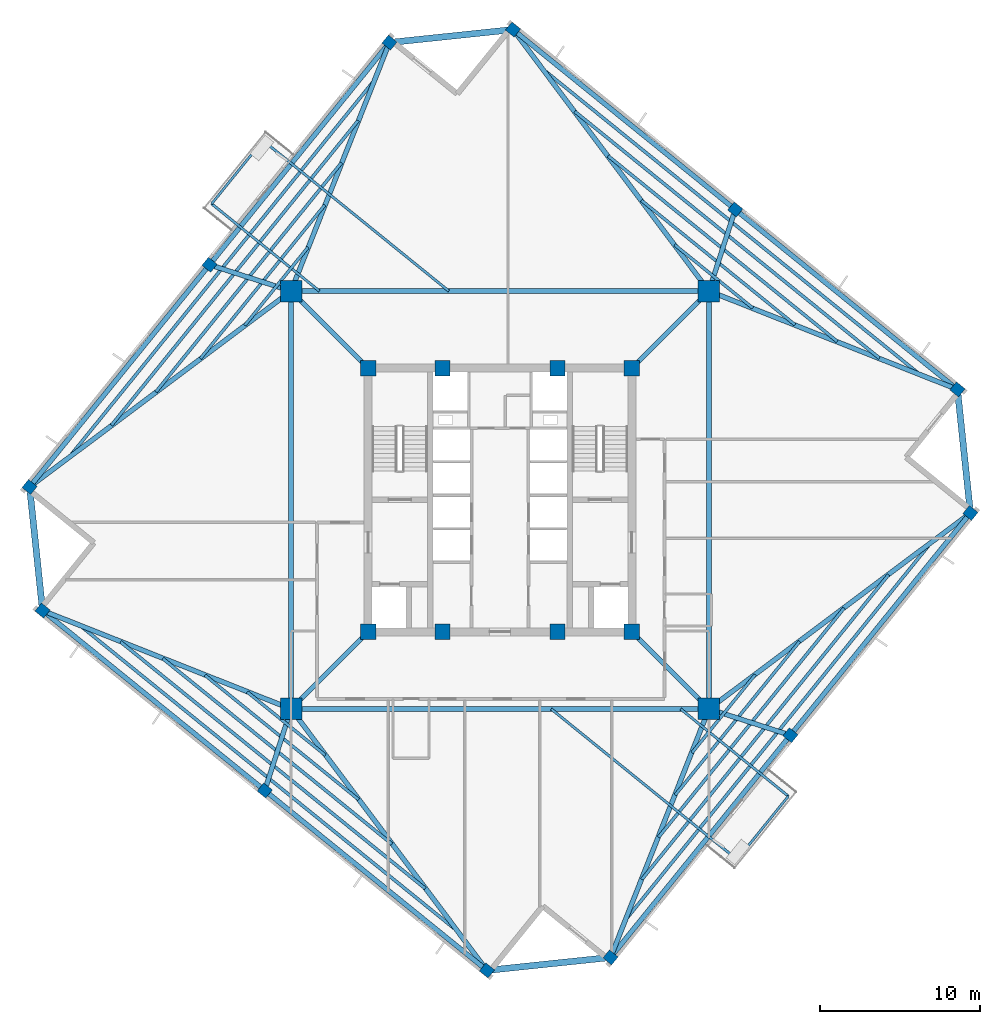
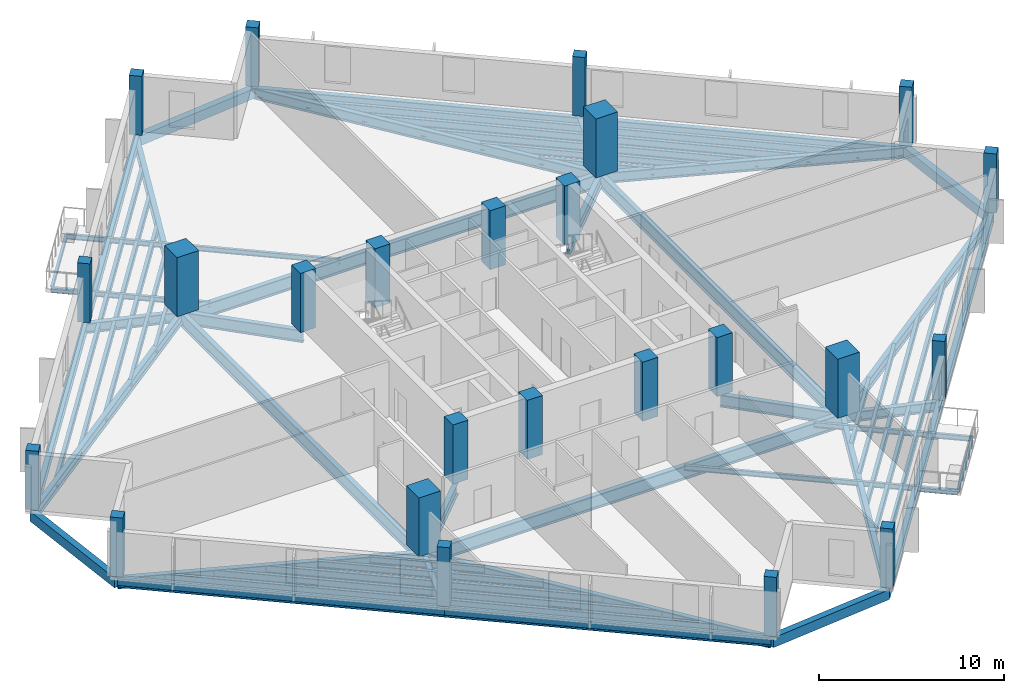
# One storey, part 1 of 9: 58 beams, 24 columns.
"""IFC4 building model written with IfcOpenShell, lengths in metres."""

from ifc_helpers import new_model, si_unit, direction, frame, origin, origin_2d, place, context, subcontext, project, spatial, rectangle, i_section, extrude, source, transform, mapped, material, material_profile, profile_set, type_object, element, save


model = new_model("IFC4")

# Units and contexts
model_context = context("Model", 3, precision=1e-05, world=origin(), true_north=direction((0.0, 1.0)))
body_context = subcontext(model_context, "Body", "Model", "MODEL_VIEW")
ifc_project = project(units=[si_unit("LENGTHUNIT", "METRE"), si_unit("AREAUNIT", "SQUARE_METRE"), si_unit("VOLUMEUNIT", "CUBIC_METRE"), si_unit("PLANEANGLEUNIT", "RADIAN"), si_unit("MASSUNIT", "GRAM", prefix="KILO"), si_unit("THERMODYNAMICTEMPERATUREUNIT", "KELVIN")], contexts=[model_context])

# Site, building, storey
site_placement = place(None, origin())
site = spatial("IfcSite", under=ifc_project, at=site_placement, CompositionType="ELEMENT")
building_placement = place(site_placement, origin())
building = spatial("IfcBuilding", under=site, at=building_placement, Name="Kosmvard Interchange Tower", CompositionType="ELEMENT")
storey_placement = place(building_placement, frame((0.0, 0.0, 213.39990234375)))
storey = spatial("IfcBuildingStorey", under=building, at=storey_placement, Name="L51", CompositionType="ELEMENT", Elevation=213.39990234375)

# Columns
ifc_material_1 = material(Name="Concrete C60/75", Category="concrete")
ifc_material_profile_1 = material_profile(ifc_material_1, rectangle(XDim=0.949951171875, YDim=0.949951171875, at=origin_2d()), Name="CP 950x950")
ifc_profile_set_1 = profile_set([ifc_material_profile_1], Name="Concrete C60/75")
column_type_1 = type_object("IfcColumnType", Name="Core Boundary Pilaster 950x950 C60/75", PredefinedType="PILASTER", material=ifc_profile_set_1)
shared_shape_1 = source(origin(), body_context, "Body", "SweptSolid", [
    extrude(rectangle(XDim=0.949951171875, YDim=0.949951171875, at=origin_2d()), origin(), (0.0, 0.0, 1.0), 3.900146484375),
])
for number, where, z_axis, x_axis, name in (
    (1, (-8.25, -8.25, 0.0), (0.0, 0.0, 1.0), (1.0, 0.0, 0.0), "L51 Core Pilaster CP1"),
    (2, (8.25, -8.25, 0.0), (0.0, 0.0, 1.0), (1.0, 0.0, 0.0), "L51 Core Pilaster CP2"),
    (3, (8.25, 8.25, 0.0), (0.0, 0.0, 1.0), (1.0, 0.0, 0.0), "L51 Core Pilaster CP3"),
    (4, (-8.25, 8.25, 0.0), (0.0, 0.0, 1.0), (1.0, 0.0, 0.0), "L51 Core Pilaster CP4"),
    (5, (-3.60009765625, -8.25, 0.0), (0.0, 0.0, 1.0), (1.0, 0.0, 0.0), "L51 Core Pilaster CP5"),
    (6, (3.60009765625, -8.25, 0.0), (0.0, 0.0, 1.0), (1.0, 0.0, 0.0), "L51 Core Pilaster CP6"),
    (7, (-3.60009765625, 8.25, 0.0), (0.0, 0.0, 1.0), (1.0, 0.0, 0.0), "L51 Core Pilaster CP7"),
    (8, (3.60009765625, 8.25, 0.0), (0.0, 0.0, 1.0), (1.0, 0.0, 0.0), "L51 Core Pilaster CP8"),
):
    element("IfcColumn", number, at=place(storey_placement, frame(where, z_axis=z_axis, x_axis=x_axis)), inside=storey, type_object=column_type_1, Name=name, PredefinedType="PILASTER", context=body_context, shape_type="MappedRepresentation", body=[
        mapped(shared_shape_1, transform((0.0, 0.0, 0.0), scale=1.0)),
    ])
ifc_material_profile_2 = material_profile(ifc_material_1, rectangle(XDim=1.35009765625, YDim=1.35009765625, at=origin_2d()), Name="MC 1350x1350")
ifc_profile_set_2 = profile_set([ifc_material_profile_2], Name="Concrete C60/75")
column_type_2 = type_object("IfcColumnType", Name="Composite Mega-Column 1350x1350 C60/75", PredefinedType="COLUMN", material=ifc_profile_set_2)
shared_shape_2 = source(origin(), body_context, "Body", "SweptSolid", [
    extrude(rectangle(XDim=1.35009765625, YDim=1.35009765625, at=origin_2d()), origin(), (0.0, 0.0, 1.0), 3.900146484375),
])
for number, where, z_axis, x_axis, name in (
    (9, (-13.0810546875, -13.0810546875, 0.0), (0.0, 0.0, 1.0), (1.0, 0.0, 0.0), "L51 Corner Mega-Column MC1"),
    (10, (13.0810546875, -13.0810546875, 0.0), (0.0, 0.0, 1.0), (1.0, 0.0, 0.0), "L51 Corner Mega-Column MC2"),
    (11, (13.0810546875, 13.0810546875, 0.0), (0.0, 0.0, 1.0), (1.0, 0.0, 0.0), "L51 Corner Mega-Column MC3"),
    (12, (-13.0810546875, 13.0810546875, 0.0), (0.0, 0.0, 1.0), (1.0, 0.0, 0.0), "L51 Corner Mega-Column MC4"),
):
    element("IfcColumn", number, at=place(storey_placement, frame(where, z_axis=z_axis, x_axis=x_axis)), inside=storey, type_object=column_type_2, Name=name, PredefinedType="COLUMN", context=body_context, shape_type="MappedRepresentation", body=[
        mapped(shared_shape_2, transform((0.0, 0.0, 0.0), scale=1.0)),
    ])
ifc_material_2 = material(Name="Concrete C50/60", Category="concrete")
ifc_material_profile_3 = material_profile(ifc_material_2, rectangle(XDim=0.64990234375, YDim=0.699951171875, at=origin_2d()), Name="TC 700x650")
ifc_profile_set_3 = profile_set([ifc_material_profile_3], Name="Concrete C50/60")
column_type_3 = type_object("IfcColumnType", Name="Zone 4 Perimeter Pier Column 700x650 C50/60", PredefinedType="COLUMN", material=ifc_profile_set_3)
shared_shape_3 = source(origin(), body_context, "Body", "SweptSolid", [
    extrude(rectangle(XDim=0.64990234375, YDim=0.699951171875, at=origin_2d()), origin(), (0.0, 0.0, 1.0), 3.900146484375),
])
for number, where, z_axis, x_axis, name in (
    (13, (6.92041015625, -28.636962890625, 0.0), (0.0, 0.0, 1.0), (0.62932039105, 0.777145961457, 0.0), "L51 Perimeter Pier Column TC-S1"),
    (14, (18.185302734375, -14.72607421875, 0.0), (0.0, 0.0, 1.0), (0.62932039105, 0.777145961457, 0.0), "L51 Perimeter Pier Column TC-S2"),
    (15, (29.449951171875, -0.815185546875, 0.0), (0.0, 0.0, 1.0), (0.62932039105, 0.777145961457, 0.0), "L51 Perimeter Pier Column TC-S3"),
    (16, (28.636962890625, 6.92041015625, 0.0), (0.0, 0.0, 1.0), (0.62932039105, 0.777145961457, 0.0), "L51 Perimeter Pier Column TC-E1"),
    (17, (14.72607421875, 18.185302734375, 0.0), (0.0, 0.0, 1.0), (0.62932039105, 0.777145961457, 0.0), "L51 Perimeter Pier Column TC-E2"),
    (18, (0.815185546875, 29.449951171875, 0.0), (0.0, 0.0, 1.0), (0.62932039105, 0.777145961457, 0.0), "L51 Perimeter Pier Column TC-E3"),
    (19, (-6.92041015625, 28.636962890625, 0.0), (0.0, 0.0, 1.0), (0.62932039105, 0.777145961457, 0.0), "L51 Perimeter Pier Column TC-N1"),
    (20, (-18.185302734375, 14.72607421875, 0.0), (0.0, 0.0, 1.0), (0.62932039105, 0.777145961457, 0.0), "L51 Perimeter Pier Column TC-N2"),
    (21, (-29.449951171875, 0.815185546875, 0.0), (0.0, 0.0, 1.0), (0.62932039105, 0.777145961457, 0.0), "L51 Perimeter Pier Column TC-N3"),
    (22, (-28.636962890625, -6.92041015625, 0.0), (0.0, 0.0, 1.0), (0.62932039105, 0.777145961457, 0.0), "L51 Perimeter Pier Column TC-W1"),
    (23, (-14.72607421875, -18.185302734375, 0.0), (0.0, 0.0, 1.0), (0.62932039105, 0.777145961457, 0.0), "L51 Perimeter Pier Column TC-W2"),
    (24, (-0.815185546875, -29.449951171875, 0.0), (0.0, 0.0, 1.0), (0.62932039105, 0.777145961457, 0.0), "L51 Perimeter Pier Column TC-W3"),
):
    element("IfcColumn", number, at=place(storey_placement, frame(where, z_axis=z_axis, x_axis=x_axis)), inside=storey, type_object=column_type_3, Name=name, PredefinedType="COLUMN", context=body_context, shape_type="MappedRepresentation", body=[
        mapped(shared_shape_3, transform((0.0, 0.0, 0.0), scale=1.0)),
    ])

# Beams
ifc_material_3 = material(Name="Steel S355", Category="steel")
ifc_material_profile_4 = material_profile(ifc_material_3, i_section(OverallWidth=0.14990234375, OverallDepth=0.300048828125, WebThickness=0.007080078125, FlangeThickness=0.0107421875, FilletRadius=0.014892578125, at=origin_2d()), Name="IPE 300")
ifc_profile_set_4 = profile_set([ifc_material_profile_4], Name="Steel S355")
beam_type_1 = type_object("IfcBeamType", Name="Balcony Edge Header Joist IPE 300 S355", PredefinedType="JOIST", material=ifc_profile_set_4)
shared_shape_4 = source(origin(), body_context, "Body", "SweptSolid", [
    extrude(i_section(OverallWidth=0.14990234375, OverallDepth=0.300048828125, WebThickness=0.007080078125, FlangeThickness=0.0107421875, FilletRadius=0.014892578125, at=origin_2d()), origin(), (0.0, 0.0, 1.0), 5.099853515625),
])
for number, where, z_axis, x_axis, name in (
    (25, (-14.84375, 22.50732421875, -0.389892578125), (-0.629319408179, -0.777146757369, 0.0), (0.777146757369, -0.629319408179, 0.0), "BM-L51-BJH1"),
    (26, (14.84375, -22.50732421875, -0.389892578125), (0.629319408179, 0.777146757369, 0.0), (-0.777146757369, 0.629319408179, 0.0), "BM-L51-BJH2"),
):
    element("IfcBeam", number, at=place(storey_placement, frame(where, z_axis=z_axis, x_axis=x_axis)), inside=storey, type_object=beam_type_1, Name=name, PredefinedType="JOIST", context=body_context, shape_type="MappedRepresentation", body=[
        mapped(shared_shape_4, transform((0.0, 0.0, 0.0), scale=1.0)),
    ])
ifc_material_profile_5 = material_profile(ifc_material_3, i_section(OverallWidth=0.300048828125, OverallDepth=0.800048828125, WebThickness=0.017578125, FlangeThickness=0.032958984375, FilletRadius=0.027099609375, at=origin_2d()), Name="HEB 800")
ifc_profile_set_5 = profile_set([ifc_material_profile_5], Name="Steel S355")
beam_type_2 = type_object("IfcBeamType", Name="Primary Mega-Frame Girder HEB 800 S355", PredefinedType="BEAM", material=ifc_profile_set_5)
shared_shape_5 = source(origin(), body_context, "Body", "SweptSolid", [
    extrude(i_section(OverallWidth=0.300048828125, OverallDepth=0.800048828125, WebThickness=0.017578125, FlangeThickness=0.032958984375, FilletRadius=0.027099609375, at=origin_2d()), origin(), (0.0, 0.0, 1.0), 6.83203125),
])
for number, where, z_axis, x_axis, name in (
    (27, (-8.25, -8.25, -0.639892578125), (-0.707106781187, -0.707106781187, 0.0), (0.707106781187, -0.707106781187, 0.0), "L51 Radial Mega-Frame Girder 1"),
    (28, (8.25, -8.25, -0.639892578125), (0.707106781187, -0.707106781187, 0.0), (0.707106781187, 0.707106781187, 0.0), "L51 Radial Mega-Frame Girder 2"),
    (29, (8.25, 8.25, -0.639892578125), (0.707106781187, 0.707106781187, 0.0), (-0.707106781187, 0.707106781187, 0.0), "L51 Radial Mega-Frame Girder 3"),
    (30, (-8.25, 8.25, -0.639892578125), (-0.707106781187, 0.707106781187, 0.0), (-0.707106781187, -0.707106781187, 0.0), "L51 Radial Mega-Frame Girder 4"),
):
    element("IfcBeam", number, at=place(storey_placement, frame(where, z_axis=z_axis, x_axis=x_axis)), inside=storey, type_object=beam_type_2, Name=name, PredefinedType="BEAM", context=body_context, shape_type="MappedRepresentation", body=[
        mapped(shared_shape_5, transform((0.0, 0.0, 0.0), scale=1.0)),
    ])
ifc_material_profile_6 = material_profile(ifc_material_3, i_section(OverallWidth=0.300048828125, OverallDepth=0.89990234375, WebThickness=0.0185546875, FlangeThickness=0.034912109375, FilletRadius=0.030029296875, at=origin_2d()), Name="HEB 900")
ifc_profile_set_6 = profile_set([ifc_material_profile_6], Name="Steel S355")
beam_type_3 = type_object("IfcBeamType", Name="Mega-Column Ring Girder HEB 900 S355", PredefinedType="BEAM", material=ifc_profile_set_6)
shared_shape_6 = source(origin(), body_context, "Body", "SweptSolid", [
    extrude(i_section(OverallWidth=0.300048828125, OverallDepth=0.89990234375, WebThickness=0.0185546875, FlangeThickness=0.034912109375, FilletRadius=0.030029296875, at=origin_2d()), origin(), (0.0, 0.0, 1.0), 26.162109375),
])
for number, where, z_axis, x_axis, name in (
    (31, (-13.0810546875, -13.0810546875, -0.68994140625), (1.0, 0.0, 0.0), (0.0, 1.0, 0.0), "L51 Mega-Column Ring Girder 1"),
    (32, (13.0810546875, -13.0810546875, -0.68994140625), (0.0, 1.0, 0.0), (-1.0, 0.0, 0.0), "L51 Mega-Column Ring Girder 2"),
    (33, (13.0810546875, 13.0810546875, -0.68994140625), (-1.0, 0.0, 0.0), (0.0, -1.0, 0.0), "L51 Mega-Column Ring Girder 3"),
    (34, (-13.0810546875, 13.0810546875, -0.68994140625), (0.0, -1.0, 0.0), (1.0, 0.0, 0.0), "L51 Mega-Column Ring Girder 4"),
):
    element("IfcBeam", number, at=place(storey_placement, frame(where, z_axis=z_axis, x_axis=x_axis)), inside=storey, type_object=beam_type_3, Name=name, PredefinedType="BEAM", context=body_context, shape_type="MappedRepresentation", body=[
        mapped(shared_shape_6, transform((0.0, 0.0, 0.0), scale=1.0)),
    ])
ifc_material_profile_7 = material_profile(ifc_material_3, i_section(OverallWidth=0.300048828125, OverallDepth=0.60009765625, WebThickness=0.015380859375, FlangeThickness=0.030029296875, FilletRadius=0.027099609375, at=origin_2d()), Name="HEB 600")
ifc_profile_set_7 = profile_set([ifc_material_profile_7], Name="Steel S355")
beam_type_4 = type_object("IfcBeamType", Name="Perimeter Tie Girder HEB 600 S355", PredefinedType="BEAM", material=ifc_profile_set_7)
shared_shape_7 = source(origin(), body_context, "Body", "SweptSolid", [
    extrude(i_section(OverallWidth=0.300048828125, OverallDepth=0.60009765625, WebThickness=0.015380859375, FlangeThickness=0.030029296875, FilletRadius=0.027099609375, at=origin_2d()), origin(), (0.0, 0.0, 1.0), 17.89990234375),
])
for number, where, z_axis, x_axis, name in (
    (35, (6.92041015625, -28.636962890625, -0.539794921875), (0.629322990554, 0.777143856413, 0.0), (-0.777143856413, 0.629322990554, 0.0), "BM-L51-PR01"),
    (36, (18.185302734375, -14.72607421875, -0.539794921875), (0.629314753061, 0.777150526976, 0.0), (-0.777150526976, 0.629314753061, 0.0), "BM-L51-PR02"),
    (37, (28.636962890625, 6.92041015625, -0.539794921875), (-0.777143856413, 0.629322990554, 0.0), (-0.629322990554, -0.777143856413, 0.0), "BM-L51-PR04"),
    (38, (14.72607421875, 18.185302734375, -0.539794921875), (-0.777150526976, 0.629314753061, 0.0), (-0.629314753061, -0.777150526976, 0.0), "BM-L51-PR05"),
    (39, (-6.92041015625, 28.636962890625, -0.539794921875), (-0.629322990554, -0.777143856413, 0.0), (0.777143856413, -0.629322990554, 0.0), "BM-L51-PR07"),
    (40, (-18.185302734375, 14.72607421875, -0.539794921875), (-0.629314753061, -0.777150526976, 0.0), (0.777150526976, -0.629314753061, 0.0), "BM-L51-PR08"),
    (41, (-28.636962890625, -6.92041015625, -0.539794921875), (0.777143856413, -0.629322990554, 0.0), (0.629322990554, 0.777143856413, 0.0), "BM-L51-PR10"),
    (42, (-14.72607421875, -18.185302734375, -0.539794921875), (0.777150526976, -0.629314753061, 0.0), (0.629314753061, 0.777150526976, 0.0), "BM-L51-PR11"),
):
    element("IfcBeam", number, at=place(storey_placement, frame(where, z_axis=z_axis, x_axis=x_axis)), inside=storey, type_object=beam_type_4, Name=name, PredefinedType="BEAM", context=body_context, shape_type="MappedRepresentation", body=[
        mapped(shared_shape_7, transform((0.0, 0.0, 0.0), scale=1.0)),
    ])
ifc_material_profile_8 = material_profile(ifc_material_3, i_section(OverallWidth=0.300048828125, OverallDepth=0.699951171875, WebThickness=0.01708984375, FlangeThickness=0.031982421875, FilletRadius=0.027099609375, at=origin_2d()), Name="HEB 700")
ifc_profile_set_8 = profile_set([ifc_material_profile_8], Name="Steel S355")
beam_type_5 = type_object("IfcBeamType", Name="Primary Floor Girder HEB 700 S355", PredefinedType="BEAM", material=ifc_profile_set_8)
shared_shape_8 = source(origin(), body_context, "Body", "SweptSolid", [
    extrude(i_section(OverallWidth=0.300048828125, OverallDepth=0.699951171875, WebThickness=0.01708984375, FlangeThickness=0.031982421875, FilletRadius=0.027099609375, at=origin_2d()), origin(), (0.0, 0.0, 1.0), 16.7314453125),
])
for number, where, z_axis, x_axis, name in (
    (43, (13.0810546875, -13.0810546875, -0.58984375), (-0.368208500474, -0.929743244223, 0.0), (0.929743244223, -0.368208500474, 0.0), "BM-L51-RD01"),
    (44, (13.0810546875, 13.0810546875, -0.58984375), (0.929743244223, -0.368208500474, 0.0), (0.368208500474, 0.929743244223, 0.0), "BM-L51-RD04"),
    (45, (-13.0810546875, 13.0810546875, -0.58984375), (0.368208500474, 0.929743244223, 0.0), (-0.929743244223, 0.368208500474, 0.0), "BM-L51-RD07"),
    (46, (-13.0810546875, -13.0810546875, -0.58984375), (-0.929743244223, 0.368208500474, 0.0), (-0.368208500474, -0.929743244223, 0.0), "BM-L51-RD10"),
):
    element("IfcBeam", number, at=place(storey_placement, frame(where, z_axis=z_axis, x_axis=x_axis)), inside=storey, type_object=beam_type_5, Name=name, PredefinedType="BEAM", context=body_context, shape_type="MappedRepresentation", body=[
        mapped(shared_shape_8, transform((0.0, 0.0, 0.0), scale=1.0)),
    ])
ifc_material_profile_9 = material_profile(ifc_material_3, i_section(OverallWidth=0.300048828125, OverallDepth=0.64990234375, WebThickness=0.01611328125, FlangeThickness=0.031005859375, FilletRadius=0.027099609375, at=origin_2d()), Name="HEB 650")
ifc_profile_set_9 = profile_set([ifc_material_profile_9], Name="Steel S355")
beam_type_6 = type_object("IfcBeamType", Name="Primary Floor Girder HEB 650 S355", PredefinedType="BEAM", material=ifc_profile_set_9)
shared_shape_9 = source(origin(), body_context, "Body", "SweptSolid", [
    extrude(i_section(OverallWidth=0.300048828125, OverallDepth=0.64990234375, WebThickness=0.01611328125, FlangeThickness=0.031005859375, FilletRadius=0.027099609375, at=origin_2d()), origin(), (0.0, 0.0, 1.0), 5.36279296875),
])
for number, where, z_axis, x_axis, name in (
    (47, (13.0810546875, -13.0810546875, -0.56494140625), (0.951790966135, -0.306747382686, 0.0), (0.306747382686, 0.951790966135, 0.0), "BM-L51-RD02"),
    (48, (13.0810546875, 13.0810546875, -0.56494140625), (0.306747382686, 0.951790966135, 0.0), (-0.951790966135, 0.306747382686, 0.0), "BM-L51-RD05"),
    (49, (-13.0810546875, 13.0810546875, -0.56494140625), (-0.951790966135, 0.306747382686, 0.0), (-0.306747382686, -0.951790966135, 0.0), "BM-L51-RD08"),
    (50, (-13.0810546875, -13.0810546875, -0.56494140625), (-0.306747382686, -0.951790966135, 0.0), (0.951790966135, -0.306747382686, 0.0), "BM-L51-RD11"),
):
    element("IfcBeam", number, at=place(storey_placement, frame(where, z_axis=z_axis, x_axis=x_axis)), inside=storey, type_object=beam_type_6, Name=name, PredefinedType="BEAM", context=body_context, shape_type="MappedRepresentation", body=[
        mapped(shared_shape_9, transform((0.0, 0.0, 0.0), scale=1.0)),
    ])
ifc_material_4 = material(Name="Precast concrete C45/55", Category="concrete")
ifc_material_profile_10 = material_profile(ifc_material_4, rectangle(XDim=0.39990234375, YDim=0.64990234375, at=origin_2d()), Name="SL 400x650")
ifc_profile_set_10 = profile_set([ifc_material_profile_10], Name="Precast concrete C45/55")
beam_type_7 = type_object("IfcBeamType", Name="Precast Spandrel Lintel 400x650 C45/55", PredefinedType="LINTEL", material=ifc_profile_set_10)
shared_shape_10 = source(origin(), body_context, "Body", "SweptSolid", [
    extrude(rectangle(XDim=0.39990234375, YDim=0.64990234375, at=origin_2d()), origin(), (0.0, 0.0, 1.0), 7.7783203125),
])
for number, where, z_axis, x_axis, name in (
    (51, (29.449951171875, -0.815185546875, -0.56494140625), (-0.104521394525, 0.994522638298, 0.0), (-0.994522638298, -0.104521394525, 0.0), "BM-L51-SL1"),
    (52, (0.815185546875, 29.449951171875, -0.56494140625), (-0.994522638298, -0.104521394525, 0.0), (0.104521394525, -0.994522638298, 0.0), "BM-L51-SL2"),
    (53, (-29.449951171875, 0.815185546875, -0.56494140625), (0.104521394525, -0.994522638298, 0.0), (0.994522638298, 0.104521394525, 0.0), "BM-L51-SL3"),
    (54, (-0.815185546875, -29.449951171875, -0.56494140625), (0.994522638298, 0.104521394525, 0.0), (-0.104521394525, 0.994522638298, 0.0), "BM-L51-SL4"),
):
    element("IfcBeam", number, at=place(storey_placement, frame(where, z_axis=z_axis, x_axis=x_axis)), inside=storey, type_object=beam_type_7, Name=name, PredefinedType="LINTEL", context=body_context, shape_type="MappedRepresentation", body=[
        mapped(shared_shape_10, transform((0.0, 0.0, 0.0), scale=1.0)),
    ])
shared_shape_11 = source(origin(), body_context, "Body", "SweptSolid", [
    extrude(i_section(OverallWidth=0.300048828125, OverallDepth=0.699951171875, WebThickness=0.01708984375, FlangeThickness=0.031982421875, FilletRadius=0.027099609375, at=origin_2d()), origin(), (0.0, 0.0, 1.0), 20.45458984375),
])
for number, where, z_axis, x_axis, name in (
    (55, (13.0810546875, -13.0810546875, -0.58984375), (0.800253443036, 0.599661927179, 0.0), (-0.599661927179, 0.800253443036, 0.0), "BM-L51-RD03"),
    (56, (13.0810546875, 13.0810546875, -0.58984375), (-0.599661927179, 0.800253443036, 0.0), (-0.800253443036, -0.599661927179, 0.0), "BM-L51-RD06"),
    (57, (-13.0810546875, 13.0810546875, -0.58984375), (-0.800253443036, -0.599661927179, 0.0), (0.599661927179, -0.800253443036, 0.0), "BM-L51-RD09"),
    (58, (-13.0810546875, -13.0810546875, -0.58984375), (0.599661927179, -0.800253443036, 0.0), (0.800253443036, 0.599661927179, 0.0), "BM-L51-RD12"),
):
    element("IfcBeam", number, at=place(storey_placement, frame(where, z_axis=z_axis, x_axis=x_axis)), inside=storey, type_object=beam_type_5, Name=name, PredefinedType="BEAM", context=body_context, shape_type="MappedRepresentation", body=[
        mapped(shared_shape_11, transform((0.0, 0.0, 0.0), scale=1.0)),
    ])
ifc_material_profile_11 = material_profile(ifc_material_3, i_section(OverallWidth=0.18994140625, OverallDepth=0.449951171875, WebThickness=0.009521484375, FlangeThickness=0.0146484375, FilletRadius=0.02099609375, at=origin_2d()), Name="IPE 450")
ifc_profile_set_11 = profile_set([ifc_material_profile_11], Name="Steel S355")
beam_type_8 = type_object("IfcBeamType", Name="Mid-Rise Floor Joist IPE 450 S355", PredefinedType="JOIST", material=ifc_profile_set_11)
shared_shape_12 = source(origin(), body_context, "Body", "SweptSolid", [
    extrude(i_section(OverallWidth=0.18994140625, OverallDepth=0.449951171875, WebThickness=0.009521484375, FlangeThickness=0.0146484375, FilletRadius=0.02099609375, at=origin_2d()), origin(), (0.0, 0.0, 1.0), 6.283935546875),
])
for number, where, z_axis, x_axis, name in (
    (59, (12.0224609375, -15.81884765625, -0.46484375), (0.629317809561, 0.777148051898, 0.0), (-0.777148051898, 0.629317809561, 0.0), "BM-L51-FJ01"),
    (60, (15.81884765625, 12.0224609375, -0.46484375), (-0.777148051898, 0.629317809561, 0.0), (-0.629317809561, -0.777148051898, 0.0), "BM-L51-FJ06"),
    (61, (-12.0224609375, 15.81884765625, -0.46484375), (-0.629317809561, -0.777148051898, 0.0), (0.777148051898, -0.629317809561, 0.0), "BM-L51-FJ11"),
    (62, (-15.81884765625, -12.0224609375, -0.46484375), (0.777148051898, -0.629317809561, 0.0), (0.629317809561, 0.777148051898, 0.0), "BM-L51-FJ16"),
):
    element("IfcBeam", number, at=place(storey_placement, frame(where, z_axis=z_axis, x_axis=x_axis)), inside=storey, type_object=beam_type_8, Name=name, PredefinedType="JOIST", context=body_context, shape_type="MappedRepresentation", body=[
        mapped(shared_shape_12, transform((0.0, 0.0, 0.0), scale=1.0)),
    ])
shared_shape_13 = source(origin(), body_context, "Body", "SweptSolid", [
    extrude(i_section(OverallWidth=0.18994140625, OverallDepth=0.449951171875, WebThickness=0.009521484375, FlangeThickness=0.0146484375, FilletRadius=0.02099609375, at=origin_2d()), origin(), (0.0, 0.0, 1.0), 12.369873046875),
])
for number, where, z_axis, x_axis, name in (
    (63, (10.97509765625, -18.46337890625, -0.46484375), (0.629319722443, 0.777146502883, 0.0), (-0.777146502883, 0.629319722443, 0.0), "BM-L51-FJ02"),
    (64, (18.46337890625, 10.97509765625, -0.46484375), (-0.777146502883, 0.629319722443, 0.0), (-0.629319722443, -0.777146502883, 0.0), "BM-L51-FJ07"),
    (65, (-10.97509765625, 18.46337890625, -0.46484375), (-0.629319722443, -0.777146502883, 0.0), (0.777146502883, -0.629319722443, 0.0), "BM-L51-FJ12"),
    (66, (-18.46337890625, -10.97509765625, -0.46484375), (0.777146502883, -0.629319722443, 0.0), (0.629319722443, 0.777146502883, 0.0), "BM-L51-FJ17"),
):
    element("IfcBeam", number, at=place(storey_placement, frame(where, z_axis=z_axis, x_axis=x_axis)), inside=storey, type_object=beam_type_8, Name=name, PredefinedType="JOIST", context=body_context, shape_type="MappedRepresentation", body=[
        mapped(shared_shape_13, transform((0.0, 0.0, 0.0), scale=1.0)),
    ])
ifc_material_profile_12 = material_profile(ifc_material_3, i_section(OverallWidth=0.199951171875, OverallDepth=0.5, WebThickness=0.01025390625, FlangeThickness=0.01611328125, FilletRadius=0.02099609375, at=origin_2d()), Name="IPE 500")
ifc_profile_set_12 = profile_set([ifc_material_profile_12], Name="Steel S355")
beam_type_9 = type_object("IfcBeamType", Name="Standard Floor Joist IPE 500 S355", PredefinedType="JOIST", material=ifc_profile_set_12)
shared_shape_14 = source(origin(), body_context, "Body", "SweptSolid", [
    extrude(i_section(OverallWidth=0.199951171875, OverallDepth=0.5, WebThickness=0.01025390625, FlangeThickness=0.01611328125, FilletRadius=0.02099609375, at=origin_2d()), origin(), (0.0, 0.0, 1.0), 18.4560546875),
])
for number, where, z_axis, x_axis, name in (
    (67, (9.927734375, -21.10791015625, -0.489990234375), (0.629320373744, 0.777145975471, 0.0), (-0.777145975471, 0.629320373744, 0.0), "BM-L51-FJ03"),
    (68, (21.10791015625, 9.927734375, -0.489990234375), (-0.777145975471, 0.629320373744, 0.0), (-0.629320373744, -0.777145975471, 0.0), "BM-L51-FJ08"),
    (69, (-9.927734375, 21.10791015625, -0.489990234375), (-0.629320373744, -0.777145975471, 0.0), (0.777145975471, -0.629320373744, 0.0), "BM-L51-FJ13"),
    (70, (-21.10791015625, -9.927734375, -0.489990234375), (0.777145975471, -0.629320373744, 0.0), (0.629320373744, 0.777145975471, 0.0), "BM-L51-FJ18"),
):
    element("IfcBeam", number, at=place(storey_placement, frame(where, z_axis=z_axis, x_axis=x_axis)), inside=storey, type_object=beam_type_9, Name=name, PredefinedType="JOIST", context=body_context, shape_type="MappedRepresentation", body=[
        mapped(shared_shape_14, transform((0.0, 0.0, 0.0), scale=1.0)),
    ])
shared_shape_15 = source(origin(), body_context, "Body", "SweptSolid", [
    extrude(i_section(OverallWidth=0.199951171875, OverallDepth=0.5, WebThickness=0.01025390625, FlangeThickness=0.01611328125, FilletRadius=0.02099609375, at=origin_2d()), origin(), (0.0, 0.0, 1.0), 24.5419921875),
])
for number, where, z_axis, x_axis, name in (
    (71, (8.880615234375, -23.75244140625, -0.489990234375), (0.629314693907, 0.777150574878, 0.0), (-0.777150574878, 0.629314693907, 0.0), "BM-L51-FJ04"),
    (72, (23.75244140625, 8.880615234375, -0.489990234375), (-0.777150574878, 0.629314693907, 0.0), (-0.629314693907, -0.777150574878, 0.0), "BM-L51-FJ09"),
    (73, (-8.880615234375, 23.75244140625, -0.489990234375), (-0.629314693907, -0.777150574878, 0.0), (0.777150574878, -0.629314693907, 0.0), "BM-L51-FJ14"),
    (74, (-23.75244140625, -8.880615234375, -0.489990234375), (0.777150574878, -0.629314693907, 0.0), (0.629314693907, 0.777150574878, 0.0), "BM-L51-FJ19"),
):
    element("IfcBeam", number, at=place(storey_placement, frame(where, z_axis=z_axis, x_axis=x_axis)), inside=storey, type_object=beam_type_9, Name=name, PredefinedType="JOIST", context=body_context, shape_type="MappedRepresentation", body=[
        mapped(shared_shape_15, transform((0.0, 0.0, 0.0), scale=1.0)),
    ])
shared_shape_16 = source(origin(), body_context, "Body", "SweptSolid", [
    extrude(i_section(OverallWidth=0.199951171875, OverallDepth=0.5, WebThickness=0.01025390625, FlangeThickness=0.01611328125, FilletRadius=0.02099609375, at=origin_2d()), origin(), (0.0, 0.0, 1.0), 30.27001953125),
])
for number, where, z_axis, x_axis, name in (
    (75, (7.894775390625, -26.241455078125, -0.489990234375), (0.629321655027, 0.777144937907, 0.0), (-0.777144937907, 0.629321655027, 0.0), "BM-L51-FJ05"),
    (76, (26.241455078125, 7.894775390625, -0.489990234375), (-0.777144937907, 0.629321655027, 0.0), (-0.629321655027, -0.777144937907, 0.0), "BM-L51-FJ10"),
    (77, (-7.894775390625, 26.241455078125, -0.489990234375), (-0.629321655027, -0.777144937907, 0.0), (0.777144937907, -0.629321655027, 0.0), "BM-L51-FJ15"),
    (78, (-26.241455078125, -7.894775390625, -0.489990234375), (0.777144937907, -0.629321655027, 0.0), (0.629321655027, 0.777144937907, 0.0), "BM-L51-FJ20"),
):
    element("IfcBeam", number, at=place(storey_placement, frame(where, z_axis=z_axis, x_axis=x_axis)), inside=storey, type_object=beam_type_9, Name=name, PredefinedType="JOIST", context=body_context, shape_type="MappedRepresentation", body=[
        mapped(shared_shape_16, transform((0.0, 0.0, 0.0), scale=1.0)),
    ])
ifc_material_profile_13 = material_profile(ifc_material_3, i_section(OverallWidth=0.159912109375, OverallDepth=0.330078125, WebThickness=0.007568359375, FlangeThickness=0.011474609375, FilletRadius=0.01806640625, at=origin_2d()), Name="IPE 330")
ifc_profile_set_13 = profile_set([ifc_material_profile_13], Name="Steel S355")
beam_type_10 = type_object("IfcBeamType", Name="Balcony Cantilever Joist IPE 330 S355", PredefinedType="JOIST", material=ifc_profile_set_13)
shared_shape_17 = source(origin(), body_context, "Body", "SweptSolid", [
    extrude(i_section(OverallWidth=0.159912109375, OverallDepth=0.330078125, WebThickness=0.007568359375, FlangeThickness=0.011474609375, FilletRadius=0.01806640625, at=origin_2d()), origin(), (0.0, 0.0, 1.0), 14.978515625),
])
for number, where, z_axis, x_axis, name in (
    (79, (-3.203125, 13.0810546875, -0.40478515625), (-0.777149968763, 0.629315442407, 0.0), (-0.629315442407, -0.777149968763, 0.0), "BM-L51-BJ1"),
    (80, (3.203125, -13.0810546875, -0.40478515625), (0.777149968763, -0.629315442407, 0.0), (0.629315442407, 0.777149968763, 0.0), "BM-L51-BJ2"),
):
    element("IfcBeam", number, at=place(storey_placement, frame(where, z_axis=z_axis, x_axis=x_axis)), inside=storey, type_object=beam_type_10, Name=name, PredefinedType="JOIST", context=body_context, shape_type="MappedRepresentation", body=[
        mapped(shared_shape_17, transform((0.0, 0.0, 0.0), scale=1.0)),
    ])
shared_shape_18 = source(origin(), body_context, "Body", "SweptSolid", [
    extrude(i_section(OverallWidth=0.159912109375, OverallDepth=0.330078125, WebThickness=0.007568359375, FlangeThickness=0.011474609375, FilletRadius=0.01806640625, at=origin_2d()), origin(), (0.0, 0.0, 1.0), 8.6806640625),
])
for number, where, z_axis, x_axis, name in (
    (81, (-11.30712890625, 13.0810546875, -0.40478515625), (-0.777145306785, 0.629321199501, 0.0), (-0.629321199501, -0.777145306785, 0.0), "BM-L51-BJB1"),
    (82, (11.30712890625, -13.0810546875, -0.40478515625), (0.777145306785, -0.629321199501, 0.0), (0.629321199501, 0.777145306785, 0.0), "BM-L51-BJB2"),
):
    element("IfcBeam", number, at=place(storey_placement, frame(where, z_axis=z_axis, x_axis=x_axis)), inside=storey, type_object=beam_type_10, Name=name, PredefinedType="JOIST", context=body_context, shape_type="MappedRepresentation", body=[
        mapped(shared_shape_18, transform((0.0, 0.0, 0.0), scale=1.0)),
    ])

save(model, "model.ifc")
